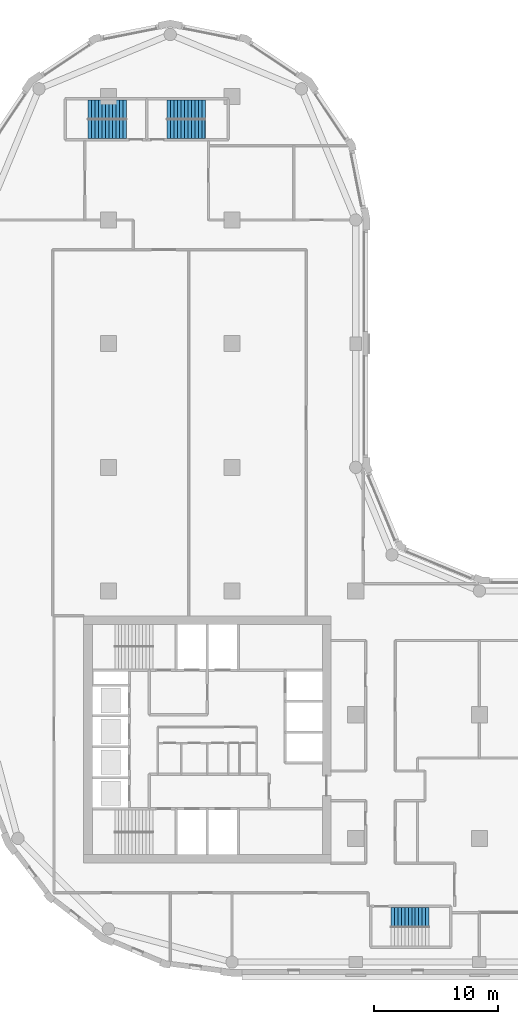
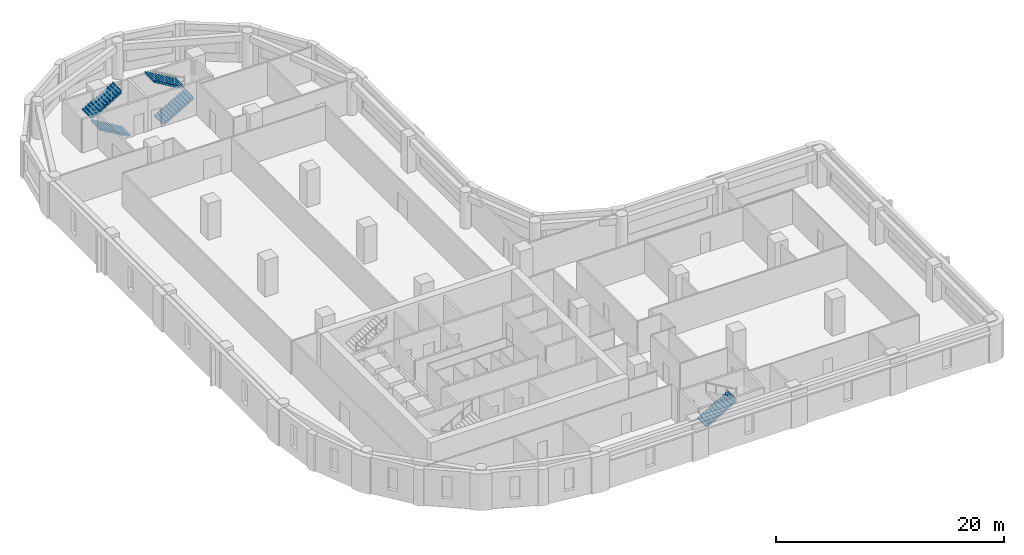
# One storey, part 7 of 9: 5 stair flights, 3 elements without a shape of their own.
"""IFC4 building model written with IfcOpenShell, lengths in metres."""

import ifcopenshell
import ifcopenshell.guid

model = None  # the IFC model being written
_history = None  # IfcOwnerHistory: only IFC2X3 demands one
_inside = {}  # id of a spatial element -> (the spatial element, [elements in it])
_under = {}  # id of a project, library or spatial element -> (it, [spatial elements below it])
_declared = {}  # id of a project -> (the project, [libraries it declares])
_typed = {}  # id of a type object -> (the type object, [elements of that type])
_made_of = {}  # id of a material, layer set ... -> (it, [elements and type objects made of it])


def new_model(schema):
    """Start an empty IFC model of exactly this schema.

    Asked for "IFC4X3", IfcOpenShell would pick the latest addendum, in which some entities
    have other attributes; the version numbers below select the first issue.
    IFC2X3 requires an IfcOwnerHistory on every rooted entity: one is made here for all.
    """
    global model, _history
    if schema == "IFC4X3":
        model = ifcopenshell.file(schema_version=(4, 3, 0, 0))
    else:
        model = ifcopenshell.file(schema=schema)
    _inside.clear()
    _under.clear()
    _declared.clear()
    _typed.clear()
    _made_of.clear()
    _history = None
    if model.schema == "IFC2X3":
        org = make("IfcOrganization", Name="unknown")
        user = make(
            "IfcPersonAndOrganization",
            ThePerson=make("IfcPerson", FamilyName="unknown"),
            TheOrganization=org,
        )
        app = make(
            "IfcApplication",
            ApplicationDeveloper=org,
            Version="unknown",
            ApplicationFullName="unknown",
            ApplicationIdentifier="unknown",
        )
        _history = make(
            "IfcOwnerHistory",
            OwningUser=user,
            OwningApplication=app,
            ChangeAction="ADDED",
            CreationDate=0,
        )
    return model


def make(cls, **values):
    """One entity of the class cls with the attributes given. An attribute that is None is left unset."""
    return model.create_entity(
        cls, **{name: value for name, value in values.items() if value is not None}
    )


def rooted(cls, **values):
    """An entity with a GlobalId (a new one), such as an element, a storey or a relation."""
    return make(cls, GlobalId=ifcopenshell.guid.new(), OwnerHistory=_history, **values)


def si_unit(unit_type, name, prefix=None):
    """IfcSIUnit, for example si_unit("LENGTHUNIT", "METRE", prefix="MILLI")."""
    return make("IfcSIUnit", UnitType=unit_type, Prefix=prefix, Name=name)


def assignment(units):
    """IfcUnitAssignment: the units of a project."""
    return None if units is None else make("IfcUnitAssignment", Units=units)


def point(xyz):
    """IfcCartesianPoint."""
    return None if xyz is None else make("IfcCartesianPoint", Coordinates=xyz)


def direction(xyz):
    """IfcDirection."""
    return None if xyz is None else make("IfcDirection", DirectionRatios=xyz)


def frame(location, z_axis=None, x_axis=None):
    """IfcAxis2Placement3D, a coordinate frame: its origin and axes. An axis left out is left unset."""
    return make(
        "IfcAxis2Placement3D",
        Location=point(location),
        Axis=direction(z_axis),
        RefDirection=direction(x_axis),
    )


def origin():
    """The frame at (0, 0, 0) with its axes left unset."""
    return frame((0.0, 0.0, 0.0))


def place(relative_to, where):
    """IfcLocalPlacement: puts the frame where relative to a parent placement (None: the world)."""
    return make(
        "IfcLocalPlacement", PlacementRelTo=relative_to, RelativePlacement=where
    )


def context(
    kind, dimensions, precision=None, world=None, true_north=None, identifier=None
):
    """IfcGeometricRepresentationContext, for example the 3D "Model" context."""
    return make(
        "IfcGeometricRepresentationContext",
        ContextIdentifier=identifier,
        ContextType=kind,
        CoordinateSpaceDimension=dimensions,
        Precision=precision,
        WorldCoordinateSystem=world,
        TrueNorth=true_north,
    )


def subcontext(parent, identifier, kind, view, scale=None):
    """IfcGeometricRepresentationSubContext, for example "Body" below "Model"."""
    return make(
        "IfcGeometricRepresentationSubContext",
        ContextIdentifier=identifier,
        ContextType=kind,
        ParentContext=parent,
        TargetScale=scale,
        TargetView=view,
    )


def project(units=None, contexts=None):
    """IfcProject with its units and contexts."""
    return rooted(
        "IfcProject",
        Name="project",
        RepresentationContexts=contexts,
        UnitsInContext=assignment(units),
    )


def spatial(cls, under=None, at=None, **own):
    """A site, building, storey or space (cls), placed at a placement, below another one or the project."""
    s = rooted(cls, ObjectPlacement=at, **own)
    if under is not None:
        _under.setdefault(under.id(), (under, []))[1].append(s)
    return s


def polyline(points):
    """IfcPolyline through the points."""
    return make("IfcPolyline", Points=[point(p) for p in points])


def outline(outer, holes=None, kind="AREA"):
    """IfcArbitraryClosedProfileDef: a profile drawn as a closed curve; with holes, ...WithVoids."""
    if holes is None:
        return make("IfcArbitraryClosedProfileDef", ProfileType=kind, OuterCurve=outer)
    return make(
        "IfcArbitraryProfileDefWithVoids",
        ProfileType=kind,
        OuterCurve=outer,
        InnerCurves=holes,
    )


def extrude(swept, where, along, depth):
    """IfcExtrudedAreaSolid: the profile swept, set in the frame where, extruded along a direction by depth."""
    return make(
        "IfcExtrudedAreaSolid",
        SweptArea=swept,
        Position=where,
        ExtrudedDirection=direction(along),
        Depth=depth,
    )


def shape(context_of_items, identifier, shape_type, items):
    """IfcShapeRepresentation: the items that make up one representation, for example the "Body"."""
    return make(
        "IfcShapeRepresentation",
        ContextOfItems=context_of_items,
        RepresentationIdentifier=identifier,
        RepresentationType=shape_type,
        Items=items,
    )


def material(Name=None, Category=None):
    """IfcMaterial."""
    return make("IfcMaterial", Name=Name, Category=Category)


def made_of(thing, what):
    """Note that an element or type object is made of a material, layer set ...; save() writes the relation."""
    if what is not None:
        _made_of.setdefault(what.id(), (what, []))[1].append(thing)
    return thing


def type_object(cls, material=None, **own):
    """A type object (cls), such as IfcWallType, which elements share."""
    return made_of(rooted(cls, **own), material)


def element(
    cls,
    number,
    at=None,
    inside=None,
    cuts=None,
    type_object=None,
    material=None,
    context=None,
    identifier="Body",
    shape_type=None,
    held_by="IfcProductDefinitionShape",
    body=None,
    shapes=None,
    **own,
):
    """One element of the class cls, such as IfcWall. Its Tag is "e" and its number.

    at: its placement. inside: the storey or other place that contains it. cuts: it is an
    opening in that element (IfcRelVoidsElement). A single representation is given by context,
    identifier, shape_type and body (its items); several are given by shapes. held_by: the class
    of the entity that holds the representations. save() writes the other relations.
    """
    e = rooted(cls, Tag="e%d" % number, ObjectPlacement=at, **own)
    if body is not None:
        shapes = [shape(context, identifier, shape_type, body)]
    if shapes is not None:
        e.Representation = make(held_by, Representations=shapes)
    if inside is not None:
        _inside.setdefault(inside.id(), (inside, []))[1].append(e)
    if cuts is not None:
        rooted(
            "IfcRelVoidsElement", RelatingBuildingElement=cuts, RelatedOpeningElement=e
        )
    if type_object is not None:
        _typed.setdefault(type_object.id(), (type_object, []))[1].append(e)
    return made_of(e, material)


def aggregate(whole, parts):
    """IfcRelAggregates: a whole, such as a stair, and the parts it consists of."""
    return rooted("IfcRelAggregates", RelatingObject=whole, RelatedObjects=parts)


def save(model, path):
    """Write the relations noted so far, then the file.

    IfcRelAggregates (storeys below a building ...), IfcRelContainedInSpatialStructure (elements
    in a storey), IfcRelDefinesByType, IfcRelAssociatesMaterial and IfcRelDeclares: one each for
    every whole, place, type object, material and project.
    """
    for whole, parts in _under.values():
        aggregate(whole, parts)
    for where, things in _inside.values():
        rooted(
            "IfcRelContainedInSpatialStructure",
            RelatedElements=things,
            RelatingStructure=where,
        )
    for kind, things in _typed.values():
        rooted("IfcRelDefinesByType", RelatedObjects=things, RelatingType=kind)
    for what, things in _made_of.values():
        rooted("IfcRelAssociatesMaterial", RelatedObjects=things, RelatingMaterial=what)
    for by, libraries in _declared.values():
        rooted("IfcRelDeclares", RelatingContext=by, RelatedDefinitions=libraries)
    model.write(path)


model = new_model("IFC4")

# Units and contexts
model_context = context("Model", 3, precision=1e-05, world=origin(), true_north=direction((0.0, 1.0)))
body_context = subcontext(model_context, "Body", "Model", "MODEL_VIEW")
ifc_project = project(units=[si_unit("LENGTHUNIT", "METRE"), si_unit("AREAUNIT", "SQUARE_METRE"), si_unit("VOLUMEUNIT", "CUBIC_METRE"), si_unit("PLANEANGLEUNIT", "RADIAN"), si_unit("MASSUNIT", "GRAM", prefix="KILO")], contexts=[model_context])

# Site, building, storey
site_placement = place(None, origin())
site = spatial("IfcSite", under=ifc_project, at=site_placement, CompositionType="ELEMENT")
building_placement = place(site_placement, origin())
building = spatial("IfcBuilding", under=site, at=building_placement, Name="Qaws Garden Tower", CompositionType="ELEMENT")
storey_placement = place(building_placement, frame((0.0, 0.0, 143.39990234375)))
storey = spatial("IfcBuildingStorey", under=building, at=storey_placement, Name="L34", CompositionType="ELEMENT", Elevation=143.39990234375)

# Stair, stair flight
ifc_material_1 = material(Name="Concrete C40", Category="concrete")
stair_type = type_object("IfcStairType", Name="Exit stair 1350", PredefinedType="HALF_TURN_STAIR", material=ifc_material_1)
placement = place(storey_placement, origin())
stair_1 = element("IfcStair", 1, at=placement, inside=storey, type_object=stair_type, Name="Stair 5", PredefinedType="HALF_TURN_STAIR")
ifc_material_2 = material(Name="Concrete C40", Category="concrete")
stair_flight_type = type_object("IfcStairFlightType", Name="Stair flight 1350", PredefinedType="STRAIGHT", material=ifc_material_2)
stair_flight_1_placement = place(storey_placement, frame((32.85009765625, 3.625, 0.0), z_axis=(0.0, 0.0, 1.0), x_axis=(1.0, 0.0, 0.0)))
stair_flight_1 = element("IfcStairFlight", 2, at=stair_flight_1_placement, type_object=stair_flight_type, Name="ST5 flight 1", NumberOfRisers=12, NumberOfTreads=11, PredefinedType="STRAIGHT", RiserHeight=0.1625, TreadLength=0.28, context=body_context, shape_type="SweptSolid", body=[
    extrude(outline(polyline([(-0.0029296875, 0.0), (-0.0029296875, 0.16259765625), (0.0, 0.16259765625), (0.280029296875, 0.16259765625), (0.280029296875, 0.324951171875), (0.56005859375, 0.324951171875), (0.56005859375, 0.487548828125), (0.840087890625, 0.487548828125), (0.840087890625, 0.64990234375), (1.1201171875, 0.64990234375), (1.1201171875, 0.8125), (1.39990234375, 0.8125), (1.39990234375, 0.97509765625), (1.679931640625, 0.97509765625), (1.679931640625, 1.137451171875), (1.9599609375, 1.137451171875), (1.9599609375, 1.300048828125), (2.239990234375, 1.300048828125), (2.239990234375, 1.46240234375), (2.52001953125, 1.46240234375), (2.52001953125, 1.625), (2.800048828125, 1.625), (2.800048828125, 1.78759765625), (3.080078125, 1.78759765625), (3.080078125, 1.949951171875), (3.0830078125, 1.949951171875), (3.0830078125, 1.6142578125), (3.080078125, 1.6142578125), (0.298583984375, 0.0), (-0.0029296875, 0.0)])), frame((0.0, 0.77490234375, 0.0), z_axis=(0.0, -1.0, 0.0), x_axis=(1.0, 0.0, 0.0)), (0.0, 0.0, 1.0), 1.550048828125),
])
aggregate(stair_1, [stair_flight_1])

# Stair, stair flights
stair_2 = element("IfcStair", 3, at=placement, inside=storey, type_object=stair_type, Name="Stair 6", PredefinedType="HALF_TURN_STAIR")
stair_flight_2_placement = place(storey_placement, frame((11.449951171875, 67.375, 0.0), z_axis=(0.0, 0.0, 1.0), x_axis=(-1.0, 0.0, 0.0)))
stair_flight_2 = element("IfcStairFlight", 4, at=stair_flight_2_placement, type_object=stair_flight_type, Name="ST6 flight 1", NumberOfRisers=12, NumberOfTreads=11, PredefinedType="STRAIGHT", RiserHeight=0.1625, TreadLength=0.28, context=body_context, shape_type="SweptSolid", body=[
    extrude(outline(polyline([(-0.0029296875, 0.0), (-0.0029296875, 0.16259765625), (0.0, 0.16259765625), (0.280029296875, 0.16259765625), (0.280029296875, 0.324951171875), (0.56005859375, 0.324951171875), (0.56005859375, 0.487548828125), (0.840087890625, 0.487548828125), (0.840087890625, 0.64990234375), (1.1201171875, 0.64990234375), (1.1201171875, 0.8125), (1.39990234375, 0.8125), (1.39990234375, 0.97509765625), (1.679931640625, 0.97509765625), (1.679931640625, 1.137451171875), (1.9599609375, 1.137451171875), (1.9599609375, 1.300048828125), (2.239990234375, 1.300048828125), (2.239990234375, 1.46240234375), (2.52001953125, 1.46240234375), (2.52001953125, 1.625), (2.800048828125, 1.625), (2.800048828125, 1.78759765625), (3.080078125, 1.78759765625), (3.080078125, 1.949951171875), (3.0830078125, 1.949951171875), (3.0830078125, 1.6142578125), (3.080078125, 1.6142578125), (0.298583984375, 0.0), (-0.0029296875, 0.0)])), frame((0.0, 0.77490234375, 0.0), z_axis=(0.0, -1.0, 0.0), x_axis=(1.0, 0.0, 0.0)), (0.0, 0.0, 1.0), 1.550048828125),
])
stair_flight_3_placement = place(storey_placement, frame((8.3701171875, 68.925048828125, 1.9501953125), z_axis=(0.0, 0.0, 1.0), x_axis=(1.0, 0.0, 0.0)))
stair_flight_3 = element("IfcStairFlight", 5, at=stair_flight_3_placement, type_object=stair_flight_type, Name="ST6 flight 2", NumberOfRisers=12, NumberOfTreads=11, PredefinedType="STRAIGHT", RiserHeight=0.1625, TreadLength=0.28, context=body_context, shape_type="SweptSolid", body=[
    extrude(outline(polyline([(-0.0029296875, 0.0), (-0.0029296875, 0.16259765625), (0.0, 0.16259765625), (0.280029296875, 0.16259765625), (0.280029296875, 0.324951171875), (0.56005859375, 0.324951171875), (0.56005859375, 0.487548828125), (0.840087890625, 0.487548828125), (0.840087890625, 0.64990234375), (1.1201171875, 0.64990234375), (1.1201171875, 0.8125), (1.39990234375, 0.8125), (1.39990234375, 0.97509765625), (1.679931640625, 0.97509765625), (1.679931640625, 1.137451171875), (1.9599609375, 1.137451171875), (1.9599609375, 1.300048828125), (2.239990234375, 1.300048828125), (2.239990234375, 1.46240234375), (2.52001953125, 1.46240234375), (2.52001953125, 1.625), (2.800048828125, 1.625), (2.800048828125, 1.78759765625), (3.080078125, 1.78759765625), (3.080078125, 1.949951171875), (3.0830078125, 1.949951171875), (3.0830078125, 1.6142578125), (3.080078125, 1.6142578125), (0.298583984375, 0.0), (-0.0029296875, 0.0)])), frame((0.0, 0.77490234375, 0.0), z_axis=(0.0, -1.0, 0.0), x_axis=(1.0, 0.0, 0.0)), (0.0, 0.0, 1.0), 1.550048828125),
])
aggregate(stair_2, [stair_flight_2, stair_flight_3])

stair_3 = element("IfcStair", 6, at=placement, inside=storey, type_object=stair_type, Name="Stair 7", PredefinedType="HALF_TURN_STAIR")
stair_flight_4_placement = place(storey_placement, frame((14.75, 67.375, 0.0), z_axis=(0.0, 0.0, 1.0), x_axis=(1.0, 0.0, 0.0)))
stair_flight_4 = element("IfcStairFlight", 7, at=stair_flight_4_placement, type_object=stair_flight_type, Name="ST7 flight 1", NumberOfRisers=12, NumberOfTreads=11, PredefinedType="STRAIGHT", RiserHeight=0.1625, TreadLength=0.28, context=body_context, shape_type="SweptSolid", body=[
    extrude(outline(polyline([(-0.0029296875, 0.0), (-0.0029296875, 0.16259765625), (0.0, 0.16259765625), (0.280029296875, 0.16259765625), (0.280029296875, 0.324951171875), (0.56005859375, 0.324951171875), (0.56005859375, 0.487548828125), (0.840087890625, 0.487548828125), (0.840087890625, 0.64990234375), (1.1201171875, 0.64990234375), (1.1201171875, 0.8125), (1.39990234375, 0.8125), (1.39990234375, 0.97509765625), (1.679931640625, 0.97509765625), (1.679931640625, 1.137451171875), (1.9599609375, 1.137451171875), (1.9599609375, 1.300048828125), (2.239990234375, 1.300048828125), (2.239990234375, 1.46240234375), (2.52001953125, 1.46240234375), (2.52001953125, 1.625), (2.800048828125, 1.625), (2.800048828125, 1.78759765625), (3.080078125, 1.78759765625), (3.080078125, 1.949951171875), (3.0830078125, 1.949951171875), (3.0830078125, 1.6142578125), (3.080078125, 1.6142578125), (0.298583984375, 0.0), (-0.0029296875, 0.0)])), frame((0.0, 0.77490234375, 0.0), z_axis=(0.0, -1.0, 0.0), x_axis=(1.0, 0.0, 0.0)), (0.0, 0.0, 1.0), 1.550048828125),
])
stair_flight_5_placement = place(storey_placement, frame((17.830078125, 68.925048828125, 1.9501953125), z_axis=(0.0, 0.0, 1.0), x_axis=(-1.0, 0.0, 0.0)))
stair_flight_5 = element("IfcStairFlight", 8, at=stair_flight_5_placement, type_object=stair_flight_type, Name="ST7 flight 2", NumberOfRisers=12, NumberOfTreads=11, PredefinedType="STRAIGHT", RiserHeight=0.1625, TreadLength=0.28, context=body_context, shape_type="SweptSolid", body=[
    extrude(outline(polyline([(-0.0029296875, 0.0), (-0.0029296875, 0.16259765625), (0.0, 0.16259765625), (0.280029296875, 0.16259765625), (0.280029296875, 0.324951171875), (0.56005859375, 0.324951171875), (0.56005859375, 0.487548828125), (0.840087890625, 0.487548828125), (0.840087890625, 0.64990234375), (1.1201171875, 0.64990234375), (1.1201171875, 0.8125), (1.39990234375, 0.8125), (1.39990234375, 0.97509765625), (1.679931640625, 0.97509765625), (1.679931640625, 1.137451171875), (1.9599609375, 1.137451171875), (1.9599609375, 1.300048828125), (2.239990234375, 1.300048828125), (2.239990234375, 1.46240234375), (2.52001953125, 1.46240234375), (2.52001953125, 1.625), (2.800048828125, 1.625), (2.800048828125, 1.78759765625), (3.080078125, 1.78759765625), (3.080078125, 1.949951171875), (3.0830078125, 1.949951171875), (3.0830078125, 1.6142578125), (3.080078125, 1.6142578125), (0.298583984375, 0.0), (-0.0029296875, 0.0)])), frame((0.0, 0.77490234375, 0.0), z_axis=(0.0, -1.0, 0.0), x_axis=(1.0, 0.0, 0.0)), (0.0, 0.0, 1.0), 1.550048828125),
])
aggregate(stair_3, [stair_flight_4, stair_flight_5])

save(model, "model.ifc")
